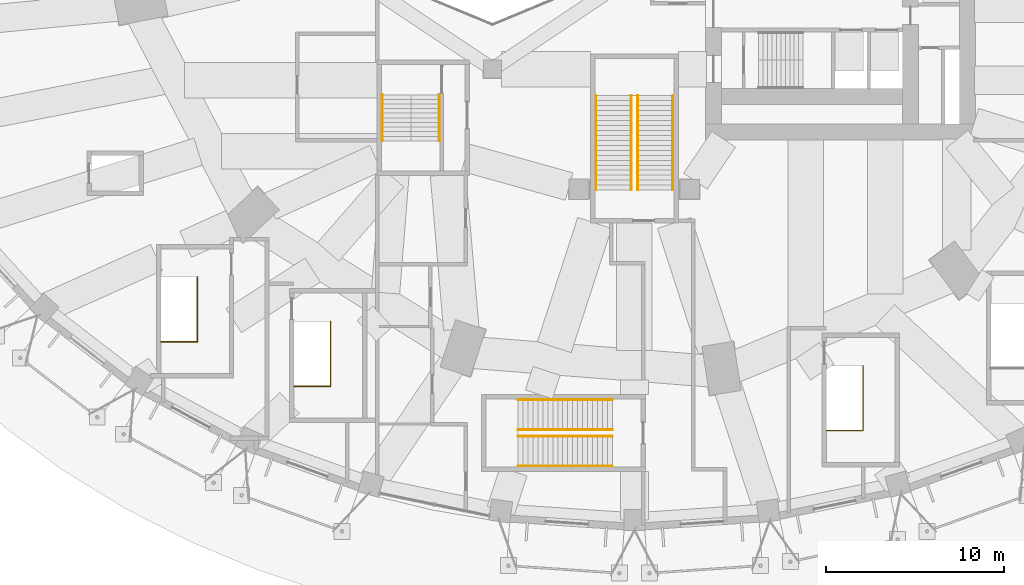
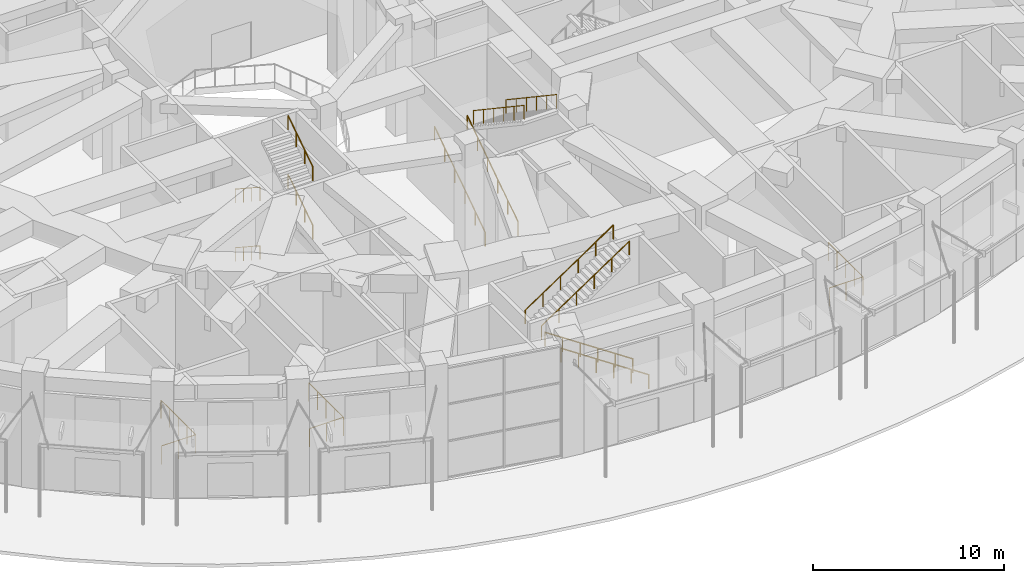
# One storey, part 51 of 60: 15 railings.
"""IFC4 building model written with IfcOpenShell, lengths in metres."""

from ifc_helpers import new_model, si_unit, direction, frame, origin, origin_2d, place, context, subcontext, project, spatial, circle, extrude, material, type_object, element, save


model = new_model("IFC4")

# Units and contexts
model_context = context("Model", 3, precision=1e-05, world=origin(), true_north=direction((0.0, 1.0)))
body_context = subcontext(model_context, "Body", "Model", "MODEL_VIEW")
ifc_project = project(units=[si_unit("LENGTHUNIT", "METRE"), si_unit("AREAUNIT", "SQUARE_METRE"), si_unit("VOLUMEUNIT", "CUBIC_METRE"), si_unit("PLANEANGLEUNIT", "RADIAN"), si_unit("MASSUNIT", "GRAM", prefix="KILO")], contexts=[model_context])

# Site, building, storey
site_placement = place(None, origin())
site = spatial("IfcSite", under=ifc_project, at=site_placement, CompositionType="ELEMENT")
building_placement = place(site_placement, origin())
building = spatial("IfcBuilding", under=site, at=building_placement, Name="Taillehof Tower", CompositionType="ELEMENT")
storey_placement = place(building_placement, origin())
storey = spatial("IfcBuildingStorey", under=building, at=storey_placement, Name="L00", CompositionType="ELEMENT", Elevation=0.0)

# Railings
ifc_material_1 = material(Name="Stainless steel and laminated glass", Category="steel")
railing_type_1 = type_object("IfcRailingType", Name="Guard 1200 mm", PredefinedType="GUARDRAIL", material=ifc_material_1)
for number, where, name in (
    (1, (-24.625, -19.72509765625, 0.0), "Guard B2"),
    (2, (12.875, -24.72509765625, 0.0), "Guard B6"),
    (3, (-17.125, -22.22509765625, 0.0), "Guard B8"),
):
    element("IfcRailing", number, at=place(storey_placement, frame(where)), inside=storey, type_object=railing_type_1, Name=name, PredefinedType="GUARDRAIL", context=body_context, shape_type="SweptSolid", body=[
        extrude(circle(Radius=0.02392578125, at=origin_2d()), frame((0.0, 0.0, 1.17578125), z_axis=(0.0, -1.0, 0.0), x_axis=(1.0, 0.0, 0.0)), (0.0, 0.0, 1.0), 3.639892578125),
        extrude(circle(Radius=0.02392578125, at=origin_2d()), frame((0.0, -3.639892578125, 1.17578125), z_axis=(-1.0, 0.0, 0.0), x_axis=(0.0, -1.0, 0.0)), (0.0, 0.0, 1.0), 2.050048828125),
        extrude(circle(Radius=0.02099609375, at=origin_2d()), origin(), (0.0, 0.0, 1.0), 1.15185546875),
        extrude(circle(Radius=0.02099609375, at=origin_2d()), frame((0.0, -0.909912109375, 0.0)), (0.0, 0.0, 1.0), 1.15185546875),
        extrude(circle(Radius=0.02099609375, at=origin_2d()), frame((0.0, -1.81982421875, 0.0)), (0.0, 0.0, 1.0), 1.15185546875),
        extrude(circle(Radius=0.02099609375, at=origin_2d()), frame((0.0, -2.72998046875, 0.0)), (0.0, 0.0, 1.0), 1.15185546875),
        extrude(circle(Radius=0.02099609375, at=origin_2d()), frame((0.0, -3.639892578125, 0.0)), (0.0, 0.0, 1.0), 1.15185546875),
        extrude(circle(Radius=0.02099609375, at=origin_2d()), frame((-1.02490234375, -3.639892578125, 0.0)), (0.0, 0.0, 1.0), 1.15185546875),
        extrude(circle(Radius=0.02099609375, at=origin_2d()), frame((-2.050048828125, -3.639892578125, 0.0)), (0.0, 0.0, 1.0), 1.15185546875),
    ])
ifc_material_2 = material(Name="Stainless steel tube", Category="steel")
railing_type_2 = type_object("IfcRailingType", Name="Handrail 900 mm", PredefinedType="HANDRAIL", material=ifc_material_2)
for number, where, name in (
    (4, (-2.1650390625, -14.820068359375, 0.1875), "Handrail P2"),
    (5, (-0.18505859375, -14.820068359375, 0.1875), "Handrail P2"),
):
    element("IfcRailing", number, at=place(storey_placement, frame(where)), inside=storey, type_object=railing_type_2, Name=name, PredefinedType="HANDRAIL", context=body_context, shape_type="SweptSolid", body=[
        extrude(circle(Radius=0.02392578125, at=origin_2d()), frame((0.0, 0.0, 0.8759765625), z_axis=(0.0, 0.830910482381, 0.556406119907), x_axis=(-1.0, 0.0, 0.0)), (0.0, 0.0, 1.0), 6.402587890625),
        extrude(circle(Radius=0.02099609375, at=origin_2d()), origin(), (0.0, 0.0, 1.0), 0.851806640625),
        extrude(circle(Radius=0.02099609375, at=origin_2d()), frame((0.0, 1.06396484375, 0.71240234375)), (0.0, 0.0, 1.0), 0.851806640625),
        extrude(circle(Radius=0.02099609375, at=origin_2d()), frame((0.0, 2.1279296875, 1.425048828125)), (0.0, 0.0, 1.0), 0.851806640625),
        extrude(circle(Radius=0.02099609375, at=origin_2d()), frame((0.0, 3.192138671875, 2.137451171875)), (0.0, 0.0, 1.0), 0.851806640625),
        extrude(circle(Radius=0.02099609375, at=origin_2d()), frame((0.0, 4.256103515625, 2.85009765625)), (0.0, 0.0, 1.0), 0.851806640625),
        extrude(circle(Radius=0.02099609375, at=origin_2d()), frame((0.0, 5.320068359375, 3.5625)), (0.0, 0.0, 1.0), 0.851806640625),
    ])
for number, where, name in (
    (6, (0.18505859375, -9.5, 3.9375), "Handrail P2"),
    (7, (2.1650390625, -9.5, 3.9375), "Handrail P2"),
):
    element("IfcRailing", number, at=place(storey_placement, frame(where)), inside=storey, type_object=railing_type_2, Name=name, PredefinedType="HANDRAIL", context=body_context, shape_type="SweptSolid", body=[
        extrude(circle(Radius=0.02392578125, at=origin_2d()), frame((0.0, 0.0, 0.8759765625), z_axis=(0.0, -0.830910482381, 0.556406119907), x_axis=(1.0, 0.0, 0.0)), (0.0, 0.0, 1.0), 6.402587890625),
        extrude(circle(Radius=0.02099609375, at=origin_2d()), origin(), (0.0, 0.0, 1.0), 0.851806640625),
        extrude(circle(Radius=0.02099609375, at=origin_2d()), frame((0.0, -1.06396484375, 0.71240234375)), (0.0, 0.0, 1.0), 0.851806640625),
        extrude(circle(Radius=0.02099609375, at=origin_2d()), frame((0.0, -2.1279296875, 1.425048828125)), (0.0, 0.0, 1.0), 0.851806640625),
        extrude(circle(Radius=0.02099609375, at=origin_2d()), frame((0.0, -3.192138671875, 2.137451171875)), (0.0, 0.0, 1.0), 0.851806640625),
        extrude(circle(Radius=0.02099609375, at=origin_2d()), frame((0.0, -4.256103515625, 2.85009765625)), (0.0, 0.0, 1.0), 0.851806640625),
        extrude(circle(Radius=0.02099609375, at=origin_2d()), frame((0.0, -5.320068359375, 3.5625)), (0.0, 0.0, 1.0), 0.851806640625),
    ])
for number, where, name in (
    (8, (-1.239990234375, -30.364990234375, 0.1875), "Handrail P4"),
    (9, (-1.239990234375, -28.68505859375, 0.1875), "Handrail P4"),
):
    element("IfcRailing", number, at=place(storey_placement, frame(where)), inside=storey, type_object=railing_type_2, Name=name, PredefinedType="HANDRAIL", context=body_context, shape_type="SweptSolid", body=[
        extrude(circle(Radius=0.02392578125, at=origin_2d()), frame((0.0, 0.0, 0.8759765625), z_axis=(-0.830910482381, 0.0, 0.556406119907), x_axis=(0.0, -1.0, 0.0)), (0.0, 0.0, 1.0), 6.402587890625),
        extrude(circle(Radius=0.02099609375, at=origin_2d()), origin(), (0.0, 0.0, 1.0), 0.851806640625),
        extrude(circle(Radius=0.02099609375, at=origin_2d()), frame((-1.06396484375, 0.0, 0.71240234375)), (0.0, 0.0, 1.0), 0.851806640625),
        extrude(circle(Radius=0.02099609375, at=origin_2d()), frame((-2.1279296875, 0.0, 1.425048828125)), (0.0, 0.0, 1.0), 0.851806640625),
        extrude(circle(Radius=0.02099609375, at=origin_2d()), frame((-3.192138671875, 0.0, 2.137451171875)), (0.0, 0.0, 1.0), 0.851806640625),
        extrude(circle(Radius=0.02099609375, at=origin_2d()), frame((-4.256103515625, 0.0, 2.85009765625)), (0.0, 0.0, 1.0), 0.851806640625),
        extrude(circle(Radius=0.02099609375, at=origin_2d()), frame((-5.320068359375, 0.0, 3.5625)), (0.0, 0.0, 1.0), 0.851806640625),
    ])
for number, where, name in (
    (10, (-6.56005859375, -28.31494140625, 3.9375), "Handrail P4"),
    (11, (-6.56005859375, -26.635009765625, 3.9375), "Handrail P4"),
):
    element("IfcRailing", number, at=place(storey_placement, frame(where)), inside=storey, type_object=railing_type_2, Name=name, PredefinedType="HANDRAIL", context=body_context, shape_type="SweptSolid", body=[
        extrude(circle(Radius=0.02392578125, at=origin_2d()), frame((0.0, 0.0, 0.8759765625), z_axis=(0.830910482381, 0.0, 0.556406119907), x_axis=(0.0, 1.0, 0.0)), (0.0, 0.0, 1.0), 6.402587890625),
        extrude(circle(Radius=0.02099609375, at=origin_2d()), origin(), (0.0, 0.0, 1.0), 0.851806640625),
        extrude(circle(Radius=0.02099609375, at=origin_2d()), frame((1.06396484375, 0.0, 0.71240234375)), (0.0, 0.0, 1.0), 0.851806640625),
        extrude(circle(Radius=0.02099609375, at=origin_2d()), frame((2.1279296875, 0.0, 1.425048828125)), (0.0, 0.0, 1.0), 0.851806640625),
        extrude(circle(Radius=0.02099609375, at=origin_2d()), frame((3.192138671875, 0.0, 2.137451171875)), (0.0, 0.0, 1.0), 0.851806640625),
        extrude(circle(Radius=0.02099609375, at=origin_2d()), frame((4.256103515625, 0.0, 2.85009765625)), (0.0, 0.0, 1.0), 0.851806640625),
        extrude(circle(Radius=0.02099609375, at=origin_2d()), frame((5.320068359375, 0.0, 3.5625)), (0.0, 0.0, 1.0), 0.851806640625),
    ])
ifc_material_3 = material(Name="Stainless steel", Category="steel")
railing_type_3 = type_object("IfcRailingType", Name="Stair handrail 900", PredefinedType="HANDRAIL", material=ifc_material_3)
railing_1_placement = place(storey_placement, frame((-14.199951171875, -9.449951171875, 0.17041015625)))
element("IfcRailing", 12, at=railing_1_placement, inside=storey, type_object=railing_type_3, Name="Stair S4 handrail", PredefinedType="HANDRAIL", context=body_context, shape_type="SweptSolid", body=[
    extrude(circle(Radius=0.02392578125, at=origin_2d()), frame((0.0, 0.0, 0.8759765625), z_axis=(0.0, -0.836302213143, 0.548268737292), x_axis=(1.0, 0.0, 0.0)), (0.0, 0.0, 1.0), 3.109130859375),
    extrude(circle(Radius=0.02099609375, at=origin_2d()), origin(), (0.0, 0.0, 1.0), 0.851806640625),
    extrude(circle(Radius=0.02099609375, at=origin_2d()), frame((0.0, -0.86669921875, 0.568115234375)), (0.0, 0.0, 1.0), 0.851806640625),
    extrude(circle(Radius=0.02099609375, at=origin_2d()), frame((0.0, -1.7333984375, 1.136474609375)), (0.0, 0.0, 1.0), 0.851806640625),
    extrude(circle(Radius=0.02099609375, at=origin_2d()), frame((0.0, -2.60009765625, 1.70458984375)), (0.0, 0.0, 1.0), 0.851806640625),
])
railing_2_placement = place(storey_placement, frame((-11.0, -12.050048828125, 2.04541015625)))
element("IfcRailing", 13, at=railing_2_placement, inside=storey, type_object=railing_type_3, Name="Stair S4 handrail", PredefinedType="HANDRAIL", context=body_context, shape_type="SweptSolid", body=[
    extrude(circle(Radius=0.02392578125, at=origin_2d()), frame((0.0, 0.0, 0.8759765625), z_axis=(0.0, 0.836302213143, 0.548268737292), x_axis=(-1.0, 0.0, 0.0)), (0.0, 0.0, 1.0), 3.109130859375),
    extrude(circle(Radius=0.02099609375, at=origin_2d()), origin(), (0.0, 0.0, 1.0), 0.851806640625),
    extrude(circle(Radius=0.02099609375, at=origin_2d()), frame((0.0, 0.86669921875, 0.568115234375)), (0.0, 0.0, 1.0), 0.851806640625),
    extrude(circle(Radius=0.02099609375, at=origin_2d()), frame((0.0, 1.7333984375, 1.136474609375)), (0.0, 0.0, 1.0), 0.851806640625),
    extrude(circle(Radius=0.02099609375, at=origin_2d()), frame((0.0, 2.60009765625, 1.70458984375)), (0.0, 0.0, 1.0), 0.851806640625),
])
railing_3_placement = place(storey_placement, frame((-14.199951171875, -9.449951171875, 3.92041015625)))
element("IfcRailing", 14, at=railing_3_placement, inside=storey, type_object=railing_type_3, Name="Stair S4 handrail", PredefinedType="HANDRAIL", context=body_context, shape_type="SweptSolid", body=[
    extrude(circle(Radius=0.02392578125, at=origin_2d()), frame((0.0, 0.0, 0.8759765625), z_axis=(0.0, -0.836302213143, 0.548268737292), x_axis=(1.0, 0.0, 0.0)), (0.0, 0.0, 1.0), 3.109130859375),
    extrude(circle(Radius=0.02099609375, at=origin_2d()), origin(), (0.0, 0.0, 1.0), 0.851806640625),
    extrude(circle(Radius=0.02099609375, at=origin_2d()), frame((0.0, -0.86669921875, 0.568115234375)), (0.0, 0.0, 1.0), 0.851806640625),
    extrude(circle(Radius=0.02099609375, at=origin_2d()), frame((0.0, -1.7333984375, 1.136474609375)), (0.0, 0.0, 1.0), 0.851806640625),
    extrude(circle(Radius=0.02099609375, at=origin_2d()), frame((0.0, -2.60009765625, 1.70458984375)), (0.0, 0.0, 1.0), 0.851806640625),
])
railing_4_placement = place(storey_placement, frame((-11.0, -12.050048828125, 5.79541015625)))
element("IfcRailing", 15, at=railing_4_placement, inside=storey, type_object=railing_type_3, Name="Stair S4 handrail", PredefinedType="HANDRAIL", context=body_context, shape_type="SweptSolid", body=[
    extrude(circle(Radius=0.02392578125, at=origin_2d()), frame((0.0, 0.0, 0.8759765625), z_axis=(0.0, 0.836302213143, 0.548268737292), x_axis=(-1.0, 0.0, 0.0)), (0.0, 0.0, 1.0), 3.109130859375),
    extrude(circle(Radius=0.02099609375, at=origin_2d()), origin(), (0.0, 0.0, 1.0), 0.851806640625),
    extrude(circle(Radius=0.02099609375, at=origin_2d()), frame((0.0, 0.86669921875, 0.568115234375)), (0.0, 0.0, 1.0), 0.851806640625),
    extrude(circle(Radius=0.02099609375, at=origin_2d()), frame((0.0, 1.7333984375, 1.136474609375)), (0.0, 0.0, 1.0), 0.851806640625),
    extrude(circle(Radius=0.02099609375, at=origin_2d()), frame((0.0, 2.60009765625, 1.70458984375)), (0.0, 0.0, 1.0), 0.851806640625),
])

save(model, "model.ifc")
